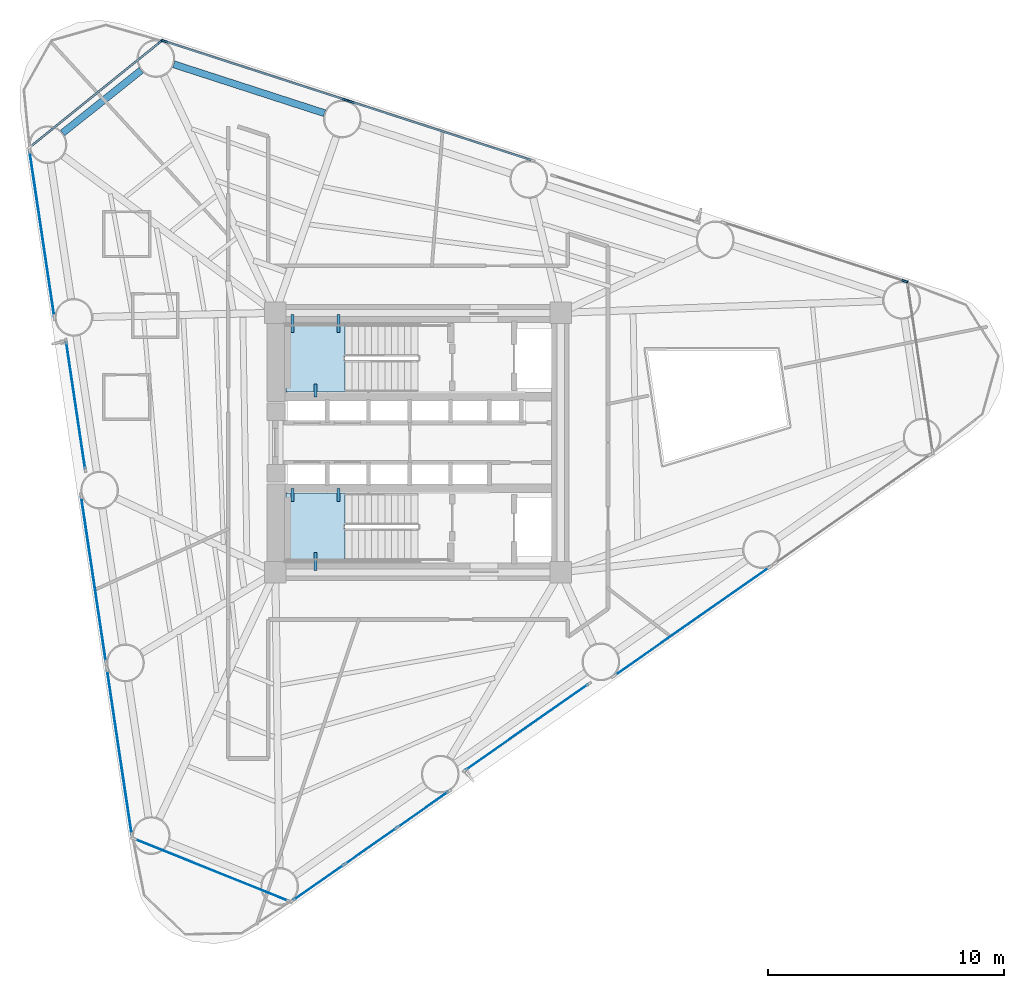
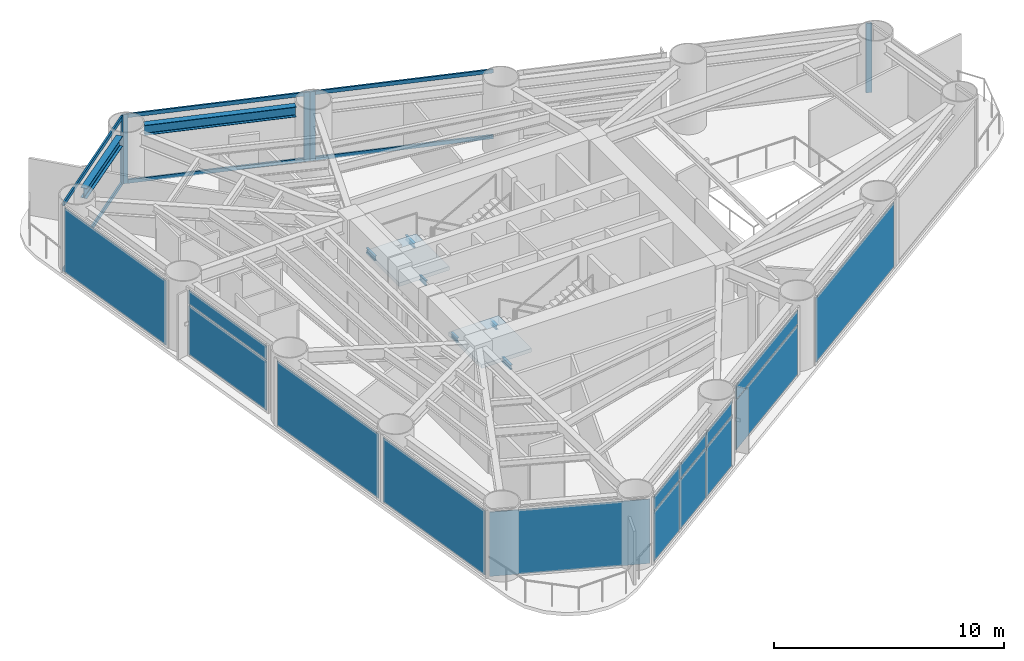
# One storey, part 4 of 9: 15 plates, 11 members, 8 beams, 2 slabs, 14 elements without a shape of their own.
"""IFC4 building model written with IfcOpenShell, lengths in metres."""

import ifcopenshell
import ifcopenshell.guid

model = None  # the IFC model being written
_history = None  # IfcOwnerHistory: only IFC2X3 demands one
_inside = {}  # id of a spatial element -> (the spatial element, [elements in it])
_under = {}  # id of a project, library or spatial element -> (it, [spatial elements below it])
_declared = {}  # id of a project -> (the project, [libraries it declares])
_typed = {}  # id of a type object -> (the type object, [elements of that type])
_made_of = {}  # id of a material, layer set ... -> (it, [elements and type objects made of it])


def new_model(schema):
    """Start an empty IFC model of exactly this schema.

    Asked for "IFC4X3", IfcOpenShell would pick the latest addendum, in which some entities
    have other attributes; the version numbers below select the first issue.
    IFC2X3 requires an IfcOwnerHistory on every rooted entity: one is made here for all.
    """
    global model, _history
    if schema == "IFC4X3":
        model = ifcopenshell.file(schema_version=(4, 3, 0, 0))
    else:
        model = ifcopenshell.file(schema=schema)
    _inside.clear()
    _under.clear()
    _declared.clear()
    _typed.clear()
    _made_of.clear()
    _history = None
    if model.schema == "IFC2X3":
        org = make("IfcOrganization", Name="unknown")
        user = make(
            "IfcPersonAndOrganization",
            ThePerson=make("IfcPerson", FamilyName="unknown"),
            TheOrganization=org,
        )
        app = make(
            "IfcApplication",
            ApplicationDeveloper=org,
            Version="unknown",
            ApplicationFullName="unknown",
            ApplicationIdentifier="unknown",
        )
        _history = make(
            "IfcOwnerHistory",
            OwningUser=user,
            OwningApplication=app,
            ChangeAction="ADDED",
            CreationDate=0,
        )
    return model


def make(cls, **values):
    """One entity of the class cls with the attributes given. An attribute that is None is left unset."""
    return model.create_entity(
        cls, **{name: value for name, value in values.items() if value is not None}
    )


def rooted(cls, **values):
    """An entity with a GlobalId (a new one), such as an element, a storey or a relation."""
    return make(cls, GlobalId=ifcopenshell.guid.new(), OwnerHistory=_history, **values)


def si_unit(unit_type, name, prefix=None):
    """IfcSIUnit, for example si_unit("LENGTHUNIT", "METRE", prefix="MILLI")."""
    return make("IfcSIUnit", UnitType=unit_type, Prefix=prefix, Name=name)


def assignment(units):
    """IfcUnitAssignment: the units of a project."""
    return None if units is None else make("IfcUnitAssignment", Units=units)


def point(xyz):
    """IfcCartesianPoint."""
    return None if xyz is None else make("IfcCartesianPoint", Coordinates=xyz)


def direction(xyz):
    """IfcDirection."""
    return None if xyz is None else make("IfcDirection", DirectionRatios=xyz)


def frame(location, z_axis=None, x_axis=None):
    """IfcAxis2Placement3D, a coordinate frame: its origin and axes. An axis left out is left unset."""
    return make(
        "IfcAxis2Placement3D",
        Location=point(location),
        Axis=direction(z_axis),
        RefDirection=direction(x_axis),
    )


def frame_2d(location, x_axis=None):
    """IfcAxis2Placement2D, a coordinate frame in the plane: its origin and x axis."""
    return make(
        "IfcAxis2Placement2D", Location=point(location), RefDirection=direction(x_axis)
    )


def origin():
    """The frame at (0, 0, 0) with its axes left unset."""
    return frame((0.0, 0.0, 0.0))


def origin_2d():
    """The frame at (0, 0) in the plane with its x axis left unset."""
    return frame_2d((0.0, 0.0))


def place(relative_to, where):
    """IfcLocalPlacement: puts the frame where relative to a parent placement (None: the world)."""
    return make(
        "IfcLocalPlacement", PlacementRelTo=relative_to, RelativePlacement=where
    )


def context(
    kind, dimensions, precision=None, world=None, true_north=None, identifier=None
):
    """IfcGeometricRepresentationContext, for example the 3D "Model" context."""
    return make(
        "IfcGeometricRepresentationContext",
        ContextIdentifier=identifier,
        ContextType=kind,
        CoordinateSpaceDimension=dimensions,
        Precision=precision,
        WorldCoordinateSystem=world,
        TrueNorth=true_north,
    )


def subcontext(parent, identifier, kind, view, scale=None):
    """IfcGeometricRepresentationSubContext, for example "Body" below "Model"."""
    return make(
        "IfcGeometricRepresentationSubContext",
        ContextIdentifier=identifier,
        ContextType=kind,
        ParentContext=parent,
        TargetScale=scale,
        TargetView=view,
    )


def project(units=None, contexts=None):
    """IfcProject with its units and contexts."""
    return rooted(
        "IfcProject",
        Name="project",
        RepresentationContexts=contexts,
        UnitsInContext=assignment(units),
    )


def spatial(cls, under=None, at=None, **own):
    """A site, building, storey or space (cls), placed at a placement, below another one or the project."""
    s = rooted(cls, ObjectPlacement=at, **own)
    if under is not None:
        _under.setdefault(under.id(), (under, []))[1].append(s)
    return s


def polyline(points):
    """IfcPolyline through the points."""
    return make("IfcPolyline", Points=[point(p) for p in points])


def profile(cls, at=None, kind="AREA", **sizes):
    """A parametric profile (cls). Its sizes go by their IFC names, for example OverallWidth=200.0."""
    return make(cls, ProfileType=kind, Position=at, **sizes)


def rectangle(**sizes):
    """IfcRectangleProfileDef."""
    return profile("IfcRectangleProfileDef", **sizes)


def i_section(**sizes):
    """IfcIShapeProfileDef."""
    return profile("IfcIShapeProfileDef", **sizes)


def outline(outer, holes=None, kind="AREA"):
    """IfcArbitraryClosedProfileDef: a profile drawn as a closed curve; with holes, ...WithVoids."""
    if holes is None:
        return make("IfcArbitraryClosedProfileDef", ProfileType=kind, OuterCurve=outer)
    return make(
        "IfcArbitraryProfileDefWithVoids",
        ProfileType=kind,
        OuterCurve=outer,
        InnerCurves=holes,
    )


def extrude(swept, where, along, depth):
    """IfcExtrudedAreaSolid: the profile swept, set in the frame where, extruded along a direction by depth."""
    return make(
        "IfcExtrudedAreaSolid",
        SweptArea=swept,
        Position=where,
        ExtrudedDirection=direction(along),
        Depth=depth,
    )


def shape(context_of_items, identifier, shape_type, items):
    """IfcShapeRepresentation: the items that make up one representation, for example the "Body"."""
    return make(
        "IfcShapeRepresentation",
        ContextOfItems=context_of_items,
        RepresentationIdentifier=identifier,
        RepresentationType=shape_type,
        Items=items,
    )


def source(mapping_origin, context_of_items, identifier, shape_type, items):
    """IfcRepresentationMap: a shape defined once, which mapped items show again and again."""
    return make(
        "IfcRepresentationMap",
        MappingOrigin=mapping_origin,
        MappedRepresentation=shape(context_of_items, identifier, shape_type, items),
    )


def transform(
    local_origin,
    x_axis=None,
    y_axis=None,
    z_axis=None,
    scale=None,
    scale2=None,
    scale3=None,
    uniform=True,
):
    """IfcCartesianTransformationOperator3D, or its non-uniform kind. x_axis, y_axis, z_axis: its Axis1, 2, 3."""
    if uniform:
        return make(
            "IfcCartesianTransformationOperator3D",
            Axis1=direction(x_axis),
            Axis2=direction(y_axis),
            LocalOrigin=point(local_origin),
            Scale=scale,
            Axis3=direction(z_axis),
        )
    return make(
        "IfcCartesianTransformationOperator3DnonUniform",
        Axis1=direction(x_axis),
        Axis2=direction(y_axis),
        LocalOrigin=point(local_origin),
        Scale=scale,
        Axis3=direction(z_axis),
        Scale2=scale2,
        Scale3=scale3,
    )


def mapped(mapping_source, mapping_target):
    """IfcMappedItem: shows the shape of a source again, moved by a transform."""
    return make(
        "IfcMappedItem", MappingSource=mapping_source, MappingTarget=mapping_target
    )


def material(Name=None, Category=None):
    """IfcMaterial."""
    return make("IfcMaterial", Name=Name, Category=Category)


def layer(
    of_material, thickness, ventilated=None, Name=None, Category=None, Priority=None
):
    """IfcMaterialLayer: one layer of a wall or slab, of a material (None: an air gap)."""
    return make(
        "IfcMaterialLayer",
        Material=of_material,
        LayerThickness=thickness,
        IsVentilated=ventilated,
        Name=Name,
        Category=Category,
        Priority=Priority,
    )


def layer_set(layers, Name=None):
    """IfcMaterialLayerSet."""
    return make("IfcMaterialLayerSet", MaterialLayers=layers, LayerSetName=Name)


def material_profile(
    of_material, cross_section, Name=None, Category=None, Priority=None
):
    """IfcMaterialProfile: a cross section and its material."""
    return make(
        "IfcMaterialProfile",
        Name=Name,
        Material=of_material,
        Profile=cross_section,
        Priority=Priority,
        Category=Category,
    )


def profile_set(profiles, Name=None, composite=None):
    """IfcMaterialProfileSet."""
    return make(
        "IfcMaterialProfileSet",
        Name=Name,
        MaterialProfiles=profiles,
        CompositeProfile=composite,
    )


def made_of(thing, what):
    """Note that an element or type object is made of a material, layer set ...; save() writes the relation."""
    if what is not None:
        _made_of.setdefault(what.id(), (what, []))[1].append(thing)
    return thing


def type_object(cls, material=None, **own):
    """A type object (cls), such as IfcWallType, which elements share."""
    return made_of(rooted(cls, **own), material)


def element(
    cls,
    number,
    at=None,
    inside=None,
    cuts=None,
    type_object=None,
    material=None,
    context=None,
    identifier="Body",
    shape_type=None,
    held_by="IfcProductDefinitionShape",
    body=None,
    shapes=None,
    **own,
):
    """One element of the class cls, such as IfcWall. Its Tag is "e" and its number.

    at: its placement. inside: the storey or other place that contains it. cuts: it is an
    opening in that element (IfcRelVoidsElement). A single representation is given by context,
    identifier, shape_type and body (its items); several are given by shapes. held_by: the class
    of the entity that holds the representations. save() writes the other relations.
    """
    e = rooted(cls, Tag="e%d" % number, ObjectPlacement=at, **own)
    if body is not None:
        shapes = [shape(context, identifier, shape_type, body)]
    if shapes is not None:
        e.Representation = make(held_by, Representations=shapes)
    if inside is not None:
        _inside.setdefault(inside.id(), (inside, []))[1].append(e)
    if cuts is not None:
        rooted(
            "IfcRelVoidsElement", RelatingBuildingElement=cuts, RelatedOpeningElement=e
        )
    if type_object is not None:
        _typed.setdefault(type_object.id(), (type_object, []))[1].append(e)
    return made_of(e, material)


def aggregate(whole, parts):
    """IfcRelAggregates: a whole, such as a stair, and the parts it consists of."""
    return rooted("IfcRelAggregates", RelatingObject=whole, RelatedObjects=parts)


def save(model, path):
    """Write the relations noted so far, then the file.

    IfcRelAggregates (storeys below a building ...), IfcRelContainedInSpatialStructure (elements
    in a storey), IfcRelDefinesByType, IfcRelAssociatesMaterial and IfcRelDeclares: one each for
    every whole, place, type object, material and project.
    """
    for whole, parts in _under.values():
        aggregate(whole, parts)
    for where, things in _inside.values():
        rooted(
            "IfcRelContainedInSpatialStructure",
            RelatedElements=things,
            RelatingStructure=where,
        )
    for kind, things in _typed.values():
        rooted("IfcRelDefinesByType", RelatedObjects=things, RelatingType=kind)
    for what, things in _made_of.values():
        rooted("IfcRelAssociatesMaterial", RelatedObjects=things, RelatingMaterial=what)
    for by, libraries in _declared.values():
        rooted("IfcRelDeclares", RelatingContext=by, RelatedDefinitions=libraries)
    model.write(path)


model = new_model("IFC4")

# Units and contexts
model_context = context("Model", 3, precision=1e-05, world=origin(), true_north=direction((0.0, 1.0)))
body_context = subcontext(model_context, "Body", "Model", "MODEL_VIEW")
ifc_project = project(units=[si_unit("LENGTHUNIT", "METRE"), si_unit("AREAUNIT", "SQUARE_METRE"), si_unit("VOLUMEUNIT", "CUBIC_METRE"), si_unit("PLANEANGLEUNIT", "RADIAN"), si_unit("MASSUNIT", "GRAM", prefix="KILO")], contexts=[model_context])

# Site, building, storey
site_placement = place(None, origin())
site = spatial("IfcSite", under=ifc_project, at=site_placement, CompositionType="ELEMENT")
building_placement = place(site_placement, origin())
building = spatial("IfcBuilding", under=site, at=building_placement, Name="Yunling Apex Tower", CompositionType="ELEMENT")
storey_placement = place(building_placement, frame((0.0, 0.0, 58.550048828125)))
storey = spatial("IfcBuildingStorey", under=building, at=storey_placement, Name="L15", CompositionType="ELEMENT", Elevation=58.550048828125)

# Beams
ifc_material_1 = material(Name="Steel Q355B", Category="steel")
ifc_material_profile_1 = material_profile(ifc_material_1, i_section(OverallWidth=0.125, OverallDepth=0.25, WebThickness=0.006103515625, FlangeThickness=0.009033203125, FilletRadius=0.011962890625, at=origin_2d()))
ifc_profile_set_1 = profile_set([ifc_material_profile_1], Name="Steel Q355B")
beam_type_1 = type_object("IfcBeamType", Name="BL-LNT-1", PredefinedType="LINTEL", material=ifc_profile_set_1)
shared_shape_1 = source(origin(), body_context, "Body", "SweptSolid", [
    extrude(i_section(OverallWidth=0.125, OverallDepth=0.25, WebThickness=0.006103515625, FlangeThickness=0.009033203125, FilletRadius=0.011962890625, at=origin_2d()), origin(), (0.0, 0.0, 1.0), 0.760009765625),
])
for number, where, z_axis, x_axis, name in (
    (1, (-5.320068359375, 5.419921875, 1.554931640625), (0.0, -1.0, 0.0), (1.0, 0.0, 0.0), "L15 ST-1 Landing Bearing Corbel 1-1"),
    (2, (-3.3701171875, 5.419921875, 1.554931640625), (0.0, -1.0, 0.0), (1.0, 0.0, 0.0), "L15 ST-1 Landing Bearing Corbel 1-2"),
    (3, (-4.344970703125, -5.419921875, 1.554931640625), (0.0, 1.0, 0.0), (-1.0, 0.0, 0.0), "L15 ST-2 Landing Bearing Corbel 1-3"),
):
    element("IfcBeam", number, at=place(storey_placement, frame(where, z_axis=z_axis, x_axis=x_axis)), inside=storey, type_object=beam_type_1, Name=name, PredefinedType="LINTEL", context=body_context, shape_type="MappedRepresentation", body=[
        mapped(shared_shape_1, transform((0.0, 0.0, 0.0), scale=1.0)),
    ])
shared_shape_2 = source(origin(), body_context, "Body", "SweptSolid", [
    extrude(i_section(OverallWidth=0.125, OverallDepth=0.25, WebThickness=0.006103515625, FlangeThickness=0.009033203125, FilletRadius=0.011962890625, at=origin_2d()), origin(), (0.0, 0.0, 1.0), 0.550048828125),
])
for number, where, z_axis, x_axis, name in (
    (4, (-4.344970703125, 1.93994140625, 1.554931640625), (0.0, 1.0, 0.0), (-1.0, 0.0, 0.0), "L15 ST-1 Landing Bearing Corbel 1-3"),
    (5, (-5.320068359375, -1.93994140625, 1.554931640625), (0.0, -1.0, 0.0), (1.0, 0.0, 0.0), "L15 ST-2 Landing Bearing Corbel 1-1"),
    (6, (-3.3701171875, -1.93994140625, 1.554931640625), (0.0, -1.0, 0.0), (1.0, 0.0, 0.0), "L15 ST-2 Landing Bearing Corbel 1-2"),
):
    element("IfcBeam", number, at=place(storey_placement, frame(where, z_axis=z_axis, x_axis=x_axis)), inside=storey, type_object=beam_type_1, Name=name, PredefinedType="LINTEL", context=body_context, shape_type="MappedRepresentation", body=[
        mapped(shared_shape_2, transform((0.0, 0.0, 0.0), scale=1.0)),
    ])
ifc_material_profile_2 = material_profile(ifc_material_1, i_section(OverallWidth=0.300048828125, OverallDepth=0.5400390625, WebThickness=0.011962890625, FlangeThickness=0.02001953125, FilletRadius=0.02392578125, at=origin_2d()))
ifc_profile_set_2 = profile_set([ifc_material_profile_2], Name="Steel Q355B")
beam_type_2 = type_object("IfcBeamType", Name="BP-SPN-1", PredefinedType="SPANDREL", material=ifc_profile_set_2)
shared_shape_3 = source(origin(), body_context, "Body", "SweptSolid", [
    extrude(i_section(OverallWidth=0.300048828125, OverallDepth=0.5400390625, WebThickness=0.011962890625, FlangeThickness=0.02001953125, FilletRadius=0.02392578125, at=origin_2d()), origin(), (0.0, 0.0, 1.0), 6.721435546875),
])
beam_1_placement = place(storey_placement, frame((-3.96484375, 13.9638671875, 3.294921875), z_axis=(-0.95126256707, 0.308382114415, 0.0), x_axis=(-0.308382114415, -0.95126256707, 0.0)))
element("IfcBeam", 7, at=beam_1_placement, inside=storey, type_object=beam_type_2, Name="L15 Perimeter Spandrel Beam 9", PredefinedType="SPANDREL", context=body_context, shape_type="MappedRepresentation", body=[
    mapped(shared_shape_3, transform((0.0, 0.0, 0.0), scale=1.0)),
])
shared_shape_4 = source(origin(), body_context, "Body", "SweptSolid", [
    extrude(i_section(OverallWidth=0.300048828125, OverallDepth=0.5400390625, WebThickness=0.011962890625, FlangeThickness=0.02001953125, FilletRadius=0.02392578125, at=origin_2d()), origin(), (0.0, 0.0, 1.0), 4.265869140625),
])
beam_2_placement = place(storey_placement, frame((-11.734619140625, 15.785888671875, 3.294921875), z_axis=(-0.781560697893, -0.623829203796, 0.0), x_axis=(0.623829203796, -0.781560697893, 0.0)))
element("IfcBeam", 8, at=beam_2_placement, inside=storey, type_object=beam_type_2, Name="L15 Perimeter Spandrel Beam 10", PredefinedType="SPANDREL", context=body_context, shape_type="MappedRepresentation", body=[
    mapped(shared_shape_4, transform((0.0, 0.0, 0.0), scale=1.0)),
])

# Curtain wall, member
ifc_material_2 = material(Name="Bronze anodised aluminium", Category="aluminium")
ifc_layer_1 = layer(ifc_material_2, 0.260009765625)
ifc_layer_set_1 = layer_set([ifc_layer_1], Name="Bronze anodised aluminium")
curtain_wall_type = type_object("IfcCurtainWallType", Name="CW-SYS-2", PredefinedType="NOTDEFINED", material=ifc_layer_set_1)
curtain_wall_1_placement = place(storey_placement, origin())
curtain_wall_1 = element("IfcCurtainWall", 9, at=curtain_wall_1_placement, inside=storey, type_object=curtain_wall_type, Name="CW-L15-F2-B1", PredefinedType="NOTDEFINED")
ifc_material_profile_3 = material_profile(ifc_material_2, rectangle(XDim=0.0849609375, YDim=0.260009765625, at=origin_2d()))
ifc_profile_set_3 = profile_set([ifc_material_profile_3], Name="Bronze anodised aluminium")
member_type_1 = type_object("IfcMemberType", Name="CW-MUL-2", PredefinedType="MULLION", material=ifc_profile_set_3)
shared_shape_5 = source(origin(), body_context, "Body", "SweptSolid", [
    extrude(rectangle(XDim=0.0849609375, YDim=0.260009765625, at=origin_2d()), origin(), (0.0, 0.0, 1.0), 3.6650390625),
])
member_1_placement = place(storey_placement, frame((20.63671875, 6.8408203125, -0.050048828125), z_axis=(0.0, 0.0, 1.0), x_axis=(-0.30835735341, -0.951270593784, 0.0)))
member_1 = element("IfcMember", 10, at=member_1_placement, type_object=member_type_1, Name="CW-SYS-2 mullion 1", PredefinedType="MULLION", context=body_context, shape_type="MappedRepresentation", body=[
    mapped(shared_shape_5, transform((0.0, 0.0, 0.0), scale=1.0)),
])
aggregate(curtain_wall_1, [member_1])

curtain_wall_2_placement = place(storey_placement, origin())
curtain_wall_2 = element("IfcCurtainWall", 11, at=curtain_wall_2_placement, inside=storey, type_object=curtain_wall_type, Name="CW-L15-F2-B3", PredefinedType="NOTDEFINED")
member_2_placement = place(storey_placement, frame((-2.84326171875, 14.451904296875, -0.050048828125), z_axis=(0.0, 0.0, 1.0), x_axis=(-0.308368457544, -0.951266994272, 0.0)))
member_2 = element("IfcMember", 12, at=member_2_placement, type_object=member_type_1, Name="CW-SYS-2 mullion 2", PredefinedType="MULLION", context=body_context, shape_type="MappedRepresentation", body=[
    mapped(shared_shape_5, transform((0.0, 0.0, 0.0), scale=1.0)),
])

# Curtain wall, members
curtain_wall_3_placement = place(storey_placement, origin())
curtain_wall_3 = element("IfcCurtainWall", 13, at=curtain_wall_3_placement, inside=storey, type_object=curtain_wall_type, Name="CW-L15-F2-B4", PredefinedType="NOTDEFINED")
member_3_placement = place(storey_placement, frame((-3.076416015625, 14.52734375, -0.050048828125), z_axis=(0.0, 0.0, 1.0), x_axis=(-0.30835735341, -0.951270593784, 0.0)))
member_3 = element("IfcMember", 14, at=member_3_placement, type_object=member_type_1, Name="CW-SYS-2 mullion 1", PredefinedType="MULLION", context=body_context, shape_type="MappedRepresentation", body=[
    mapped(shared_shape_5, transform((0.0, 0.0, 0.0), scale=1.0)),
])
member_4_placement = place(storey_placement, frame((-10.747802734375, 17.01416015625, -0.050048828125), z_axis=(0.0, 0.0, 1.0), x_axis=(-0.30835735341, -0.951270593784, 0.0)))
member_4 = element("IfcMember", 15, at=member_4_placement, type_object=member_type_1, Name="CW-SYS-2 mullion 2", PredefinedType="MULLION", context=body_context, shape_type="MappedRepresentation", body=[
    mapped(shared_shape_5, transform((0.0, 0.0, 0.0), scale=1.0)),
])

# Curtain wall, member
curtain_wall_4_placement = place(storey_placement, origin())
curtain_wall_4 = element("IfcCurtainWall", 16, at=curtain_wall_4_placement, inside=storey, type_object=curtain_wall_type, Name="CW-L15-CRN2", PredefinedType="NOTDEFINED")
member_5_placement = place(storey_placement, frame((-10.903564453125, 17.006103515625, -0.050048828125), z_axis=(0.0, 0.0, 1.0), x_axis=(0.628079941911, -0.778148820322, 0.0)))
member_5 = element("IfcMember", 17, at=member_5_placement, type_object=member_type_1, Name="CW-SYS-2 mullion 1", PredefinedType="MULLION", context=body_context, shape_type="MappedRepresentation", body=[
    mapped(shared_shape_5, transform((0.0, 0.0, 0.0), scale=1.0)),
])

# Member
ifc_material_profile_4 = material_profile(ifc_material_2, rectangle(XDim=0.0849609375, YDim=0.199951171875, at=origin_2d()))
ifc_profile_set_4 = profile_set([ifc_material_profile_4], Name="Bronze anodised aluminium")
member_type_2 = type_object("IfcMemberType", Name="CW-TRN-2", PredefinedType="USERDEFINED", material=ifc_profile_set_4)
shared_shape_6 = source(origin(), body_context, "Body", "SweptSolid", [
    extrude(rectangle(XDim=0.0849609375, YDim=0.199951171875, at=origin_2d()), origin(), (0.0, 0.0, 1.0), 7.98779296875),
])
member_6_placement = place(storey_placement, frame((4.79150390625, 11.976806640625, 0.04248046875), z_axis=(-0.951258205262, 0.308395568907, 0.0), x_axis=(-0.308395568907, -0.951258205262, 0.0)))
member_6 = element("IfcMember", 18, at=member_6_placement, type_object=member_type_2, Name="CW-SYS-2 transom 1.1", ObjectType="TRANSOM", PredefinedType="USERDEFINED", context=body_context, shape_type="MappedRepresentation", body=[
    mapped(shared_shape_6, transform((0.0, 0.0, 0.0), scale=1.0)),
])

member_7_placement = place(storey_placement, frame((4.79150390625, 11.976806640625, 3.5224609375), z_axis=(-0.951258205262, 0.308395568907, 0.0), x_axis=(-0.308395568907, -0.951258205262, 0.0)))
member_7 = element("IfcMember", 19, at=member_7_placement, type_object=member_type_2, Name="CW-SYS-2 transom 1.2", ObjectType="TRANSOM", PredefinedType="USERDEFINED", context=body_context, shape_type="MappedRepresentation", body=[
    mapped(shared_shape_6, transform((0.0, 0.0, 0.0), scale=1.0)),
])

aggregate(curtain_wall_2, [member_2, member_6, member_7])

member_8_placement = place(storey_placement, frame((-3.11279296875, 14.539306640625, 0.04248046875), z_axis=(-0.951279042821, 0.308331287237, 0.0), x_axis=(-0.308331287237, -0.951279042821, 0.0)))
member_8 = element("IfcMember", 20, at=member_8_placement, type_object=member_type_2, Name="CW-SYS-2 transom 1.1", ObjectType="TRANSOM", PredefinedType="USERDEFINED", context=body_context, shape_type="MappedRepresentation", body=[
    mapped(shared_shape_6, transform((0.0, 0.0, 0.0), scale=1.0)),
])

member_9_placement = place(storey_placement, frame((-3.11279296875, 14.539306640625, 3.5224609375), z_axis=(-0.951279042821, 0.308331287237, 0.0), x_axis=(-0.308331287237, -0.951279042821, 0.0)))
member_9 = element("IfcMember", 21, at=member_9_placement, type_object=member_type_2, Name="CW-SYS-2 transom 1.2", ObjectType="TRANSOM", PredefinedType="USERDEFINED", context=body_context, shape_type="MappedRepresentation", body=[
    mapped(shared_shape_6, transform((0.0, 0.0, 0.0), scale=1.0)),
])

aggregate(curtain_wall_3, [member_3, member_4, member_8, member_9])

shared_shape_7 = source(origin(), body_context, "Body", "SweptSolid", [
    extrude(rectangle(XDim=0.0849609375, YDim=0.199951171875, at=origin_2d()), origin(), (0.0, 0.0, 1.0), 7.03515625),
])
member_10_placement = place(storey_placement, frame((-10.933349609375, 16.982177734375, 0.04248046875), z_axis=(-0.778142739989, -0.628087474961, 0.0), x_axis=(0.628087474961, -0.778142739989, 0.0)))
member_10 = element("IfcMember", 22, at=member_10_placement, type_object=member_type_2, Name="CW-SYS-2 transom 1.1", ObjectType="TRANSOM", PredefinedType="USERDEFINED", context=body_context, shape_type="MappedRepresentation", body=[
    mapped(shared_shape_7, transform((0.0, 0.0, 0.0), scale=1.0)),
])

member_11_placement = place(storey_placement, frame((-10.933349609375, 16.982177734375, 3.5224609375), z_axis=(-0.778142739989, -0.628087474961, 0.0), x_axis=(0.628087474961, -0.778142739989, 0.0)))
member_11 = element("IfcMember", 23, at=member_11_placement, type_object=member_type_2, Name="CW-SYS-2 transom 1.2", ObjectType="TRANSOM", PredefinedType="USERDEFINED", context=body_context, shape_type="MappedRepresentation", body=[
    mapped(shared_shape_7, transform((0.0, 0.0, 0.0), scale=1.0)),
])

aggregate(curtain_wall_4, [member_5, member_10, member_11])

# Stair, slab
ifc_material_3 = material(Name="Concrete C40", Category="concrete")
stair_type = type_object("IfcStairType", Name="ST-TWR-1", PredefinedType="HALF_TURN_STAIR", material=ifc_material_3)
stair_1_placement = place(storey_placement, origin())
stair_1 = element("IfcStair", 24, at=stair_1_placement, inside=storey, type_object=stair_type, Name="L15 North Core Smokeproof Exit Stair ST-1", PredefinedType="HALF_TURN_STAIR")
ifc_layer_2 = layer(ifc_material_3, 0.195068359375)
ifc_layer_set_2 = layer_set([ifc_layer_2], Name="Concrete C40")
slab_type = type_object("IfcSlabType", Name="SL-LND-1", PredefinedType="LANDING", material=ifc_layer_set_2)
slab_1_placement = place(storey_placement, frame((0.0, 0.0, 1.679931640625)))
slab_1 = element("IfcSlab", 25, at=slab_1_placement, type_object=slab_type, Name="ST-1 landing 1", PredefinedType="LANDING", context=body_context, shape_type="SweptSolid", body=[
    extrude(outline(polyline([(-3.090087890625, 5.010009765625), (-5.60009765625, 5.010009765625), (-5.60009765625, 2.139892578125), (-3.090087890625, 2.139892578125), (-3.090087890625, 5.010009765625)])), origin(), (0.0, 0.0, 1.0), 0.195068359375),
])
aggregate(stair_1, [slab_1])

stair_2_placement = place(storey_placement, origin())
stair_2 = element("IfcStair", 26, at=stair_2_placement, inside=storey, type_object=stair_type, Name="L15 South Core Smokeproof Exit Stair ST-2", PredefinedType="HALF_TURN_STAIR")
slab_2_placement = place(storey_placement, frame((0.0, 0.0, 1.679931640625)))
slab_2 = element("IfcSlab", 27, at=slab_2_placement, type_object=slab_type, Name="ST-2 landing 1", PredefinedType="LANDING", context=body_context, shape_type="SweptSolid", body=[
    extrude(outline(polyline([(-3.090087890625, -2.139892578125), (-5.60009765625, -2.139892578125), (-5.60009765625, -5.010009765625), (-3.090087890625, -5.010009765625), (-3.090087890625, -2.139892578125)])), origin(), (0.0, 0.0, 1.0), 0.195068359375),
])
aggregate(stair_2, [slab_2])

# Curtain wall, plates
curtain_wall_5_placement = place(storey_placement, origin())
curtain_wall_5 = element("IfcCurtainWall", 28, at=curtain_wall_5_placement, inside=storey, type_object=curtain_wall_type, Name="CW-L15-F1-B1", PredefinedType="NOTDEFINED")
ifc_material_4 = material(Name="Bronze tinted low-E glass", Category="glass")
ifc_layer_3 = layer(ifc_material_4, 0.033935546875)
ifc_layer_set_3 = layer_set([ifc_layer_3], Name="Bronze tinted low-E glass")
plate_type = type_object("IfcPlateType", Name="CW-PNL-2", PredefinedType="CURTAIN_PANEL", material=ifc_layer_set_3)
shared_shape_8 = source(origin(), body_context, "Body", "SweptSolid", [
    extrude(rectangle(XDim=2.60546875, YDim=0.033935546875, at=origin_2d()), origin(), (0.0, 0.0, 1.0), 2.60400390625),
])
plate_1_placement = place(storey_placement, frame((-4.2080078125, -18.64697265625, 0.07666015625), z_axis=(0.0, 0.0, 1.0), x_axis=(0.819552319691, 0.573004358875, 0.0)))
plate_1 = element("IfcPlate", 29, at=plate_1_placement, type_object=plate_type, Name="CW-SYS-2 panel 1.1", PredefinedType="CURTAIN_PANEL", context=body_context, shape_type="MappedRepresentation", body=[
    mapped(shared_shape_8, transform((0.0, 0.0, 0.0), scale=1.0)),
])
plate_2_placement = place(storey_placement, frame((0.209716796875, -15.55810546875, 0.07666015625), z_axis=(0.0, 0.0, 1.0), x_axis=(0.819552319691, 0.573004358875, 0.0)))
plate_2 = element("IfcPlate", 30, at=plate_2_placement, type_object=plate_type, Name="CW-SYS-2 panel 3.1", PredefinedType="CURTAIN_PANEL", context=body_context, shape_type="MappedRepresentation", body=[
    mapped(shared_shape_8, transform((0.0, 0.0, 0.0), scale=1.0)),
])
shared_shape_9 = source(origin(), body_context, "Body", "SweptSolid", [
    extrude(rectangle(XDim=2.60546875, YDim=0.033935546875, at=origin_2d()), origin(), (0.0, 0.0, 1.0), 0.739013671875),
])
plate_3_placement = place(storey_placement, frame((-4.2080078125, -18.64697265625, 2.7490234375), z_axis=(0.0, 0.0, 1.0), x_axis=(0.819552319691, 0.573004358875, 0.0)))
plate_3 = element("IfcPlate", 31, at=plate_3_placement, type_object=plate_type, Name="CW-SYS-2 panel 1.2", PredefinedType="CURTAIN_PANEL", context=body_context, shape_type="MappedRepresentation", body=[
    mapped(shared_shape_9, transform((0.0, 0.0, 0.0), scale=1.0)),
])
plate_4_placement = place(storey_placement, frame((0.209716796875, -15.55810546875, 2.7490234375), z_axis=(0.0, 0.0, 1.0), x_axis=(0.819552319691, 0.573004358875, 0.0)))
plate_4 = element("IfcPlate", 32, at=plate_4_placement, type_object=plate_type, Name="CW-SYS-2 panel 3.2", PredefinedType="CURTAIN_PANEL", context=body_context, shape_type="MappedRepresentation", body=[
    mapped(shared_shape_9, transform((0.0, 0.0, 0.0), scale=1.0)),
])
shared_shape_10 = source(origin(), body_context, "Body", "SweptSolid", [
    extrude(rectangle(XDim=2.64794921875, YDim=0.033935546875, at=origin_2d()), origin(), (0.0, 0.0, 1.0), 2.60400390625),
])
plate_5_placement = place(storey_placement, frame((-1.9990234375, -17.1025390625, 0.07666015625), z_axis=(0.0, 0.0, 1.0), x_axis=(0.819552319691, 0.573004358875, 0.0)))
plate_5 = element("IfcPlate", 33, at=plate_5_placement, type_object=plate_type, Name="CW-SYS-2 panel 2.1", PredefinedType="CURTAIN_PANEL", context=body_context, shape_type="MappedRepresentation", body=[
    mapped(shared_shape_10, transform((0.0, 0.0, 0.0), scale=1.0)),
])
shared_shape_11 = source(origin(), body_context, "Body", "SweptSolid", [
    extrude(rectangle(XDim=2.64794921875, YDim=0.033935546875, at=origin_2d()), origin(), (0.0, 0.0, 1.0), 0.739013671875),
])
plate_6_placement = place(storey_placement, frame((-1.9990234375, -17.1025390625, 2.7490234375), z_axis=(0.0, 0.0, 1.0), x_axis=(0.819552319691, 0.573004358875, 0.0)))
plate_6 = element("IfcPlate", 34, at=plate_6_placement, type_object=plate_type, Name="CW-SYS-2 panel 2.2", PredefinedType="CURTAIN_PANEL", context=body_context, shape_type="MappedRepresentation", body=[
    mapped(shared_shape_11, transform((0.0, 0.0, 0.0), scale=1.0)),
])
aggregate(curtain_wall_5, [plate_1, plate_3, plate_5, plate_6, plate_2, plate_4])

curtain_wall_6_placement = place(storey_placement, origin())
curtain_wall_6 = element("IfcCurtainWall", 35, at=curtain_wall_6_placement, inside=storey, type_object=curtain_wall_type, Name="CW-L15-F1-B2", PredefinedType="NOTDEFINED")
shared_shape_12 = source(origin(), body_context, "Body", "SweptSolid", [
    extrude(rectangle(XDim=6.315673828125, YDim=0.033935546875, at=origin_2d()), origin(), (0.0, 0.0, 1.0), 2.60400390625),
])
plate_7_placement = place(storey_placement, frame((4.615966796875, -12.0625, 0.07666015625), z_axis=(0.0, 0.0, 1.0), x_axis=(0.819553499175, 0.573002671888, 0.0)))
plate_7 = element("IfcPlate", 36, at=plate_7_placement, type_object=plate_type, Name="CW-SYS-2 panel 1.1", PredefinedType="CURTAIN_PANEL", context=body_context, shape_type="MappedRepresentation", body=[
    mapped(shared_shape_12, transform((0.0, 0.0, 0.0), scale=1.0)),
])
shared_shape_13 = source(origin(), body_context, "Body", "SweptSolid", [
    extrude(rectangle(XDim=6.315673828125, YDim=0.033935546875, at=origin_2d()), origin(), (0.0, 0.0, 1.0), 0.739013671875),
])
plate_8_placement = place(storey_placement, frame((4.615966796875, -12.0625, 2.7490234375), z_axis=(0.0, 0.0, 1.0), x_axis=(0.819553499175, 0.573002671888, 0.0)))
plate_8 = element("IfcPlate", 37, at=plate_8_placement, type_object=plate_type, Name="CW-SYS-2 panel 1.2", PredefinedType="CURTAIN_PANEL", context=body_context, shape_type="MappedRepresentation", body=[
    mapped(shared_shape_13, transform((0.0, 0.0, 0.0), scale=1.0)),
])
aggregate(curtain_wall_6, [plate_7, plate_8])

# Curtain wall, plate
curtain_wall_7_placement = place(storey_placement, origin())
curtain_wall_7 = element("IfcCurtainWall", 38, at=curtain_wall_7_placement, inside=storey, type_object=curtain_wall_type, Name="CW-L15-F1-B3", PredefinedType="NOTDEFINED")
shared_shape_14 = source(origin(), body_context, "Body", "SweptSolid", [
    extrude(rectangle(XDim=7.995849609375, YDim=0.033935546875, at=origin_2d()), origin(), (0.0, 0.0, 1.0), 3.41162109375),
])
plate_9_placement = place(storey_placement, frame((11.62060546875, -7.579833984375, 0.07666015625), z_axis=(0.0, 0.0, 1.0), x_axis=(0.819558082217, 0.572996116804, 0.0)))
plate_9 = element("IfcPlate", 39, at=plate_9_placement, type_object=plate_type, Name="CW-SYS-2 panel 1.1", PredefinedType="CURTAIN_PANEL", context=body_context, shape_type="MappedRepresentation", body=[
    mapped(shared_shape_14, transform((0.0, 0.0, 0.0), scale=1.0)),
])
aggregate(curtain_wall_7, [plate_9])

curtain_wall_8_placement = place(storey_placement, origin())
curtain_wall_8 = element("IfcCurtainWall", 40, at=curtain_wall_8_placement, inside=storey, type_object=curtain_wall_type, Name="CW-L15-CRN3", PredefinedType="NOTDEFINED")
shared_shape_15 = source(origin(), body_context, "Body", "SweptSolid", [
    extrude(rectangle(XDim=7.043212890625, YDim=0.033935546875, at=origin_2d()), origin(), (0.0, 0.0, 1.0), 3.41162109375),
])
plate_10_placement = place(storey_placement, frame((-8.75390625, -18.1240234375, 0.07666015625), z_axis=(0.0, 0.0, 1.0), x_axis=(0.927773562961, -0.373143693329, 0.0)))
plate_10 = element("IfcPlate", 41, at=plate_10_placement, type_object=plate_type, Name="CW-SYS-2 panel 1.1", PredefinedType="CURTAIN_PANEL", context=body_context, shape_type="MappedRepresentation", body=[
    mapped(shared_shape_15, transform((0.0, 0.0, 0.0), scale=1.0)),
])
aggregate(curtain_wall_8, [plate_10])

curtain_wall_9_placement = place(storey_placement, origin())
curtain_wall_9 = element("IfcCurtainWall", 42, at=curtain_wall_9_placement, inside=storey, type_object=curtain_wall_type, Name="CW-L15-F3-B1", PredefinedType="NOTDEFINED")
shared_shape_16 = source(origin(), body_context, "Body", "SweptSolid", [
    extrude(rectangle(XDim=7.091552734375, YDim=0.033935546875, at=origin_2d()), origin(), (0.0, 0.0, 1.0), 3.41162109375),
])
plate_11_placement = place(storey_placement, frame((-15.943115234375, 8.847900390625, 0.07666015625), z_axis=(0.0, 0.0, 1.0), x_axis=(0.147799122579, -0.989017400941, 0.0)))
plate_11 = element("IfcPlate", 43, at=plate_11_placement, type_object=plate_type, Name="CW-SYS-2 panel 1.1", PredefinedType="CURTAIN_PANEL", context=body_context, shape_type="MappedRepresentation", body=[
    mapped(shared_shape_16, transform((0.0, 0.0, 0.0), scale=1.0)),
])
aggregate(curtain_wall_9, [plate_11])

# Curtain wall, plates
curtain_wall_10_placement = place(storey_placement, origin())
curtain_wall_10 = element("IfcCurtainWall", 44, at=curtain_wall_10_placement, inside=storey, type_object=curtain_wall_type, Name="CW-L15-F3-B2", PredefinedType="NOTDEFINED")
shared_shape_17 = source(origin(), body_context, "Body", "SweptSolid", [
    extrude(rectangle(XDim=5.411376953125, YDim=0.033935546875, at=origin_2d()), origin(), (0.0, 0.0, 1.0), 2.60400390625),
])
plate_12_placement = place(storey_placement, frame((-14.51220703125, 1.57470703125, 0.07666015625), z_axis=(0.0, 0.0, 1.0), x_axis=(0.147800900076, -0.98901713531, 0.0)))
plate_12 = element("IfcPlate", 45, at=plate_12_placement, type_object=plate_type, Name="CW-SYS-2 panel 1.1", PredefinedType="CURTAIN_PANEL", context=body_context, shape_type="MappedRepresentation", body=[
    mapped(shared_shape_17, transform((0.0, 0.0, 0.0), scale=1.0)),
])
shared_shape_18 = source(origin(), body_context, "Body", "SweptSolid", [
    extrude(rectangle(XDim=5.411376953125, YDim=0.033935546875, at=origin_2d()), origin(), (0.0, 0.0, 1.0), 0.739013671875),
])
plate_13_placement = place(storey_placement, frame((-14.51220703125, 1.57470703125, 2.7490234375), z_axis=(0.0, 0.0, 1.0), x_axis=(0.147800900076, -0.98901713531, 0.0)))
plate_13 = element("IfcPlate", 46, at=plate_13_placement, type_object=plate_type, Name="CW-SYS-2 panel 1.2", PredefinedType="CURTAIN_PANEL", context=body_context, shape_type="MappedRepresentation", body=[
    mapped(shared_shape_18, transform((0.0, 0.0, 0.0), scale=1.0)),
])
aggregate(curtain_wall_10, [plate_12, plate_13])

# Curtain wall, plate
curtain_wall_11_placement = place(storey_placement, origin())
curtain_wall_11 = element("IfcCurtainWall", 47, at=curtain_wall_11_placement, inside=storey, type_object=curtain_wall_type, Name="CW-L15-F3-B3", PredefinedType="NOTDEFINED")
shared_shape_19 = source(origin(), body_context, "Body", "SweptSolid", [
    extrude(rectangle(XDim=7.09130859375, YDim=0.033935546875, at=origin_2d()), origin(), (0.0, 0.0, 1.0), 3.41162109375),
])
plate_14_placement = place(storey_placement, frame((-13.75390625, -5.799072265625, 0.07666015625), z_axis=(0.0, 0.0, 1.0), x_axis=(0.147814641525, -0.98901508166, 0.0)))
plate_14 = element("IfcPlate", 48, at=plate_14_placement, type_object=plate_type, Name="CW-SYS-2 panel 1.1", PredefinedType="CURTAIN_PANEL", context=body_context, shape_type="MappedRepresentation", body=[
    mapped(shared_shape_19, transform((0.0, 0.0, 0.0), scale=1.0)),
])
aggregate(curtain_wall_11, [plate_14])

curtain_wall_12_placement = place(storey_placement, origin())
curtain_wall_12 = element("IfcCurtainWall", 49, at=curtain_wall_12_placement, inside=storey, type_object=curtain_wall_type, Name="CW-L15-F3-B4", PredefinedType="NOTDEFINED")
plate_15_placement = place(storey_placement, frame((-12.659423828125, -13.12255859375, 0.07666015625), z_axis=(0.0, 0.0, 1.0), x_axis=(0.14780114022, -0.989017099422, 0.0)))
plate_15 = element("IfcPlate", 50, at=plate_15_placement, type_object=plate_type, Name="CW-SYS-2 panel 1.1", PredefinedType="CURTAIN_PANEL", context=body_context, shape_type="MappedRepresentation", body=[
    mapped(shared_shape_19, transform((0.0, 0.0, 0.0), scale=1.0)),
])
aggregate(curtain_wall_12, [plate_15])

save(model, "model.ifc")
